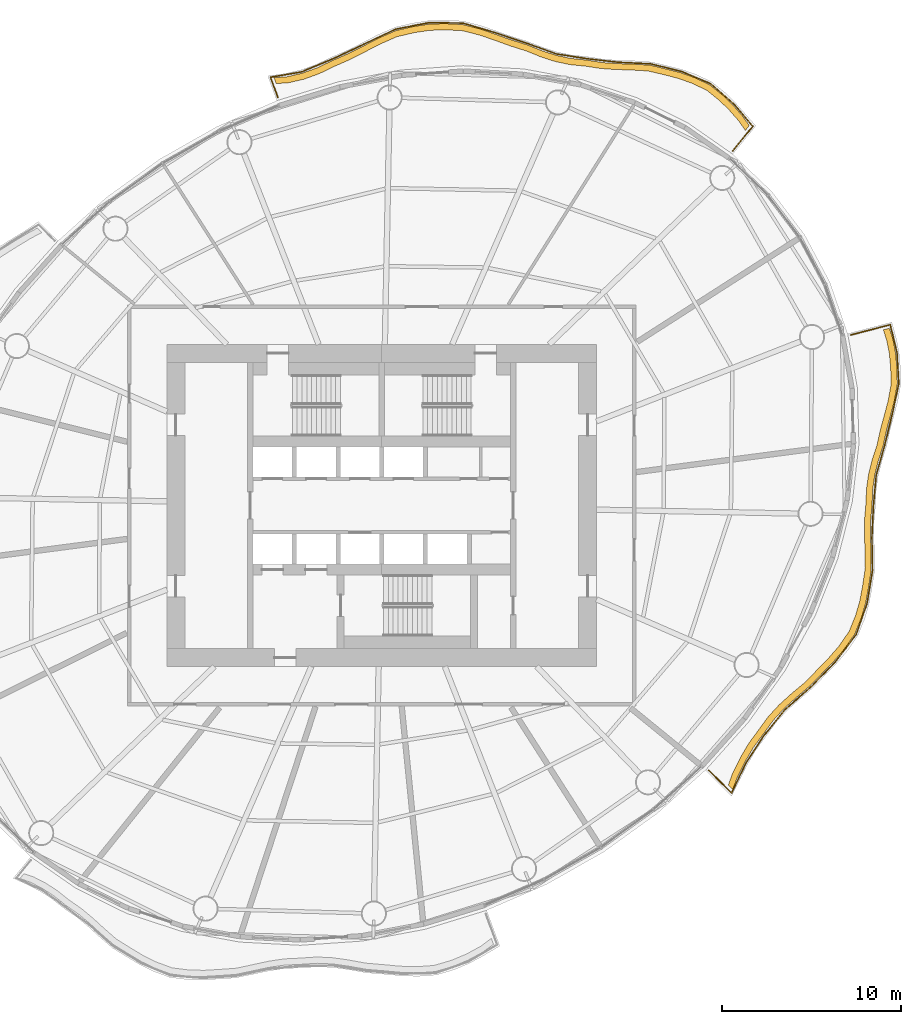
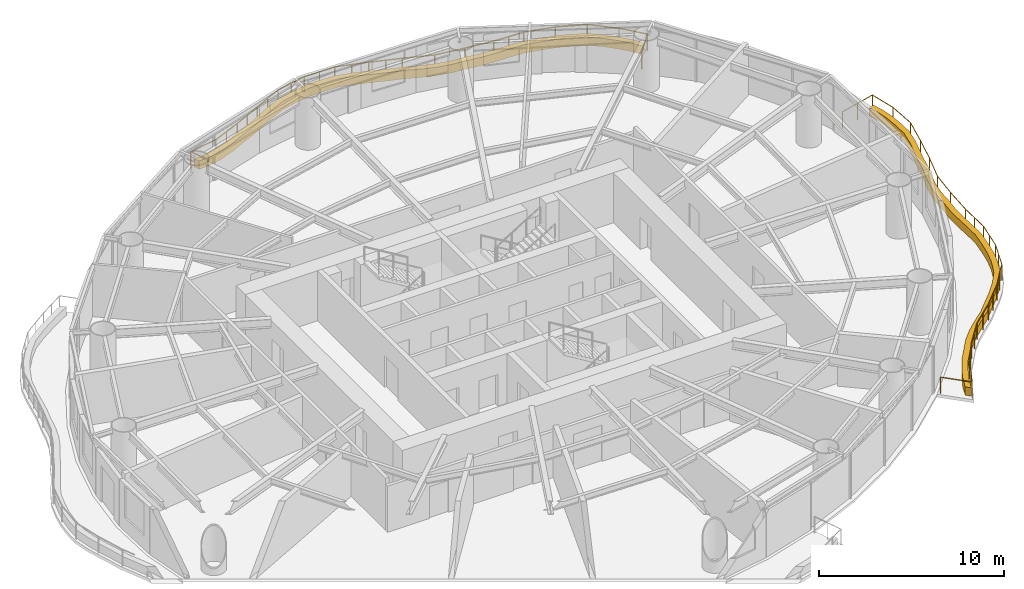
# One storey, part 14 of 14: 2 coverings, 2 railings.
"""IFC4 building model written with IfcOpenShell, lengths in metres."""

from ifc_helpers import new_model, si_unit, direction, frame, origin, origin_2d, place, context, subcontext, project, spatial, polyline, circle, outline, extrude, material, type_object, element, save


model = new_model("IFC4")

# Units and contexts
model_context = context("Model", 3, precision=1e-05, world=origin(), true_north=direction((0.0, 1.0)))
body_context = subcontext(model_context, "Body", "Model", "MODEL_VIEW")
ifc_project = project(units=[si_unit("LENGTHUNIT", "METRE"), si_unit("AREAUNIT", "SQUARE_METRE"), si_unit("VOLUMEUNIT", "CUBIC_METRE"), si_unit("PLANEANGLEUNIT", "RADIAN"), si_unit("MASSUNIT", "GRAM", prefix="KILO")], contexts=[model_context])

# Site, building, storey
site_placement = place(None, origin())
site = spatial("IfcSite", under=ifc_project, at=site_placement, CompositionType="ELEMENT")
building_placement = place(site_placement, origin())
building = spatial("IfcBuilding", under=site, at=building_placement, Name="Vermilion Reach Broadcast Tower", CompositionType="ELEMENT")
storey_placement = place(building_placement, frame((0.0, 0.0, 165.0)))
storey = spatial("IfcBuildingStorey", under=building, at=storey_placement, Name="L39", CompositionType="ELEMENT", Elevation=165.0)

# Coverings
ifc_material_1 = material(Name="Planting soil and greenery")
covering_type = type_object("IfcCoveringType", Name="Balcony PLANTER", PredefinedType="USERDEFINED", material=ifc_material_1)
placement = place(storey_placement, origin())
element("IfcCovering", 1, at=placement, inside=storey, type_object=covering_type, Name="PLANTER L39 group 1", ObjectType="PLANTER", PredefinedType="USERDEFINED", context=body_context, shape_type="SweptSolid", body=[
    extrude(outline(polyline([(14.5341796875, 21.227783203125), (14.1591796875, 21.76171875), (13.635009765625, 22.357666015625), (13.078857421875, 22.907470703125), (12.332275390625, 23.50390625), (11.455322265625, 23.918212890625), (10.707275390625, 24.1806640625), (9.928955078125, 24.38232421875), (9.004150390625, 24.6025390625), (8.029052734375, 24.665771484375), (7.188232421875, 24.6904296875), (6.35791015625, 24.747314453125), (5.473876953125, 24.884521484375), (4.572021484375, 24.979248046875), (3.76123046875, 25.14892578125), (2.96630859375, 25.40478515625), (2.0986328125, 25.748779296875), (1.175537109375, 26.03564453125), (0.341064453125, 26.33837890625), (-0.494384765625, 26.626708984375), (-1.472412109375, 26.875244140625), (-2.48876953125, 26.92822265625), (-3.3583984375, 26.89599609375), (-4.221435546875, 26.764892578125), (-5.20751953125, 26.536376953125), (-6.164306640625, 26.120361328125), (-6.987548828125, 25.694580078125), (-7.8115234375, 25.273681640625), (-8.71240234375, 24.883056640625), (-9.598876953125, 24.4599609375), (-10.4482421875, 24.153564453125), (-11.3291015625, 23.94921875), (-12.018798828125, 23.90576171875), (-11.897705078125, 23.577392578125), (-11.22607421875, 23.61474609375), (-10.345458984375, 23.81884765625), (-9.49609375, 24.125244140625), (-8.628662109375, 24.543212890625), (-7.7470703125, 24.9296875), (-6.9228515625, 25.3505859375), (-6.099853515625, 25.7763671875), (-5.1630859375, 26.189208984375), (-4.197265625, 26.415771484375), (-3.33447265625, 26.546875), (-2.46484375, 26.5791015625), (-1.4697265625, 26.525146484375), (-0.512939453125, 26.277099609375), (0.322265625, 25.989013671875), (1.15673828125, 25.68603515625), (2.0576171875, 25.401123046875), (2.903076171875, 25.060546875), (3.697998046875, 24.8046875), (4.5087890625, 24.635009765625), (5.387451171875, 24.54541015625), (6.248779296875, 24.414794921875), (7.0791015625, 24.35791015625), (7.919921875, 24.333251953125), (8.87158203125, 24.278564453125), (9.773681640625, 24.068603515625), (10.552001953125, 23.866943359375), (11.30029296875, 23.6044921875), (12.154296875, 23.20263671875), (12.878662109375, 22.6201171875), (13.434814453125, 22.0703125), (13.958984375, 21.474609375), (14.312744140625, 20.956787109375), (14.5341796875, 21.227783203125)])), origin(), (0.0, 0.0, 1.0), 0.550048828125),
])
element("IfcCovering", 2, at=placement, inside=storey, type_object=covering_type, Name="PLANTER L39 group 4", ObjectType="PLANTER", PredefinedType="USERDEFINED", context=body_context, shape_type="SweptSolid", body=[
    extrude(outline(polyline([(13.609130859375, -15.87451171875), (13.87451171875, -15.16748046875), (14.291259765625, -14.330322265625), (14.75537109375, -13.535400390625), (15.327880859375, -12.75732421875), (15.885986328125, -11.99169921875), (16.491943359375, -11.33349609375), (17.166259765625, -10.7236328125), (17.94091796875, -10.067626953125), (18.63525390625, -9.346923828125), (19.265869140625, -8.700439453125), (19.84765625, -8.027099609375), (20.42919921875, -7.18408203125), (20.805908203125, -6.259521484375), (21.040771484375, -5.438720703125), (21.198974609375, -4.58740234375), (21.3486328125, -3.596923828125), (21.342041015625, -2.610595703125), (21.3095703125, -1.747802734375), (21.31201171875, -0.893798828125), (21.394775390625, 0.017333984375), (21.4326171875, 0.901123046875), (21.547119140625, 1.699951171875), (21.743896484375, 2.4892578125), (22.021728515625, 3.36669921875), (22.214111328125, 4.256103515625), (22.4306640625, 5.049560546875), (22.6396484375, 5.8427734375), (22.810302734375, 6.80224609375), (22.780029296875, 7.749755859375), (22.710693359375, 8.520263671875), (22.564453125, 9.27685546875), (22.3642578125, 9.904052734375), (22.025634765625, 9.81591796875), (22.219970703125, 9.21533203125), (22.365966796875, 8.45849609375), (22.435546875, 7.68798828125), (22.462158203125, 6.7666015625), (22.289794921875, 5.8330078125), (22.08056640625, 5.039794921875), (21.8642578125, 4.246337890625), (21.672119140625, 3.3818359375), (21.396240234375, 2.529296875), (21.199462890625, 1.739990234375), (21.0849609375, 0.941162109375), (21.050537109375, 0.080810546875), (20.972900390625, -0.807373046875), (20.970458984375, -1.661376953125), (21.0029296875, -2.524169921875), (21.015625, -3.489013671875), (20.873779296875, -4.458251953125), (20.715576171875, -5.3095703125), (20.480712890625, -6.13037109375), (20.1123046875, -7.035400390625), (19.54052734375, -7.859375), (18.958740234375, -8.532470703125), (18.328125, -9.17919921875), (17.64404296875, -9.882080078125), (16.880859375, -10.52099609375), (16.206298828125, -11.130859375), (15.600341796875, -11.789306640625), (15.05419921875, -12.5390625), (14.494384765625, -13.302001953125), (14.0302734375, -14.096923828125), (13.613525390625, -14.934326171875), (13.361572265625, -15.627197265625), (13.609130859375, -15.87451171875)])), origin(), (0.0, 0.0, 1.0), 0.550048828125),
])

# Railings
ifc_material_2 = material(Name="Stainless steel 316 balustrade", Category="steel")
railing_type = type_object("IfcRailingType", Name="Balcony guard 1100", PredefinedType="BALUSTRADE", material=ifc_material_2)
railing_1_placement = place(storey_placement, frame((13.60986328125, 19.814208984375, 0.0)))
element("IfcRailing", 3, at=railing_1_placement, inside=storey, type_object=railing_type, Name="Balcony guard L39 group 1", PredefinedType="BALUSTRADE", context=body_context, shape_type="SweptSolid", body=[
    extrude(circle(Radius=0.02490234375, at=origin_2d()), frame((0.0, 0.0, 1.0751953125), z_axis=(0.633170313151, 0.774012502834, 0.0), x_axis=(-0.774012502834, 0.633170313151, 0.0)), (0.0, 0.0, 1.0), 1.773193359375),
    extrude(circle(Radius=0.02490234375, at=origin_2d()), frame((1.122802734375, 1.37255859375, 1.0751953125), z_axis=(-0.647975741931, 0.761660973051, 0.0), x_axis=(-0.761660973051, -0.647975741931, 0.0)), (0.0, 0.0, 1.0), 1.62353515625),
    extrude(circle(Radius=0.02490234375, at=origin_2d()), frame((0.07080078125, 2.609130859375, 1.0751953125), z_axis=(-0.751080608031, 0.660210512063, 0.0), x_axis=(-0.660210512063, -0.751080608031, 0.0)), (0.0, 0.0, 1.0), 1.740966796875),
    extrude(circle(Radius=0.02490234375, at=origin_2d()), frame((-1.23681640625, 3.758544921875, 1.0751953125), z_axis=(-0.92300330027, 0.384792031739, 0.0), x_axis=(-0.384792031739, -0.92300330027, 0.0)), (0.0, 0.0, 1.0), 1.766357421875),
    extrude(circle(Radius=0.02490234375, at=origin_2d()), frame((-2.8671875, 4.438232421875, 1.0751953125), z_axis=(-0.970540987901, 0.240936072029, 0.0), x_axis=(-0.240936072029, -0.970540987901, 0.0)), (0.0, 0.0, 1.0), 1.760009765625),
    extrude(circle(Radius=0.02490234375, at=origin_2d()), frame((-4.575439453125, 4.8623046875, 1.0751953125), z_axis=(-0.998778906152, 0.04940340702, 0.0), x_axis=(-0.04940340702, -0.998778906152, 0.0)), (0.0, 0.0, 1.0), 1.823486328125),
    extrude(circle(Radius=0.02490234375, at=origin_2d()), frame((-6.396728515625, 4.952392578125, 1.0751953125), z_axis=(-0.993594819163, 0.113001483764, 0.0), x_axis=(-0.113001483764, -0.993594819163, 0.0)), (0.0, 0.0, 1.0), 1.73046875),
    extrude(circle(Radius=0.02490234375, at=origin_2d()), frame((-8.1162109375, 5.14794921875, 1.0751953125), z_axis=(-0.988254493436, 0.152817067774, 0.0), x_axis=(-0.152817067774, -0.988254493436, 0.0)), (0.0, 0.0, 1.0), 1.73828125),
    extrude(circle(Radius=0.02490234375, at=origin_2d()), frame((-9.833984375, 5.41357421875, 1.0751953125), z_axis=(-0.94089443518, 0.338699958441, 0.0), x_axis=(-0.338699958441, -0.94089443518, 0.0)), (0.0, 0.0, 1.0), 1.7724609375),
    extrude(circle(Radius=0.02490234375, at=origin_2d()), frame((-11.501708984375, 6.013916015625, 1.0751953125), z_axis=(-0.948249057059, 0.31752751973, 0.0), x_axis=(-0.31752751973, -0.948249057059, 0.0)), (0.0, 0.0, 1.0), 1.859130859375),
    extrude(circle(Radius=0.02490234375, at=origin_2d()), frame((-13.2646484375, 6.604248046875, 1.0751953125), z_axis=(-0.959106731719, 0.283044655789, 0.0), x_axis=(-0.283044655789, -0.959106731719, 0.0)), (0.0, 0.0, 1.0), 1.89599609375),
    extrude(circle(Radius=0.02490234375, at=origin_2d()), frame((-15.0830078125, 7.140869140625, 1.0751953125), z_axis=(-0.999939782076, 0.010974161585, 0.0), x_axis=(-0.010974161585, -0.999939782076, 0.0)), (0.0, 0.0, 1.0), 1.890869140625),
    extrude(circle(Radius=0.02490234375, at=origin_2d()), frame((-16.973876953125, 7.16162109375, 1.0751953125), z_axis=(-0.981644987058, -0.190717380916, 0.0), x_axis=(0.190717380916, -0.981644987058, 0.0)), (0.0, 0.0, 1.0), 1.88818359375),
    extrude(circle(Radius=0.02490234375, at=origin_2d()), frame((-18.827392578125, 6.801513671875, 1.0751953125), z_axis=(-0.904316295614, -0.426863019582, 0.0), x_axis=(0.426863019582, -0.904316295614, 0.0)), (0.0, 0.0, 1.0), 1.973876953125),
    extrude(circle(Radius=0.02490234375, at=origin_2d()), frame((-20.6123046875, 5.958984375, 1.0751953125), z_axis=(-0.905073378333, -0.425255428927, 0.0), x_axis=(0.425255428927, -0.905073378333, 0.0)), (0.0, 0.0, 1.0), 1.91064453125),
    extrude(circle(Radius=0.02490234375, at=origin_2d()), frame((-22.341552734375, 5.146484375, 1.0751953125), z_axis=(-0.922017199564, -0.387148916708, 0.0), x_axis=(0.387148916708, -0.922017199564, 0.0)), (0.0, 0.0, 1.0), 1.887451171875),
    extrude(circle(Radius=0.02490234375, at=origin_2d()), frame((-24.081787109375, 4.415771484375, 1.0751953125), z_axis=(-0.985378090024, -0.170381981739, 0.0), x_axis=(0.170381981739, -0.985378090024, 0.0)), (0.0, 0.0, 1.0), 1.7724609375),
    extrude(circle(Radius=0.02490234375, at=origin_2d()), frame((-25.828369140625, 4.11376953125, 1.0751953125), z_axis=(0.345977091529, -0.938242960079, 0.0), x_axis=(0.938242960079, 0.345977091529, 0.0)), (0.0, 0.0, 1.0), 1.207275390625),
    extrude(circle(Radius=0.02490234375, at=origin_2d()), origin(), (0.0, 0.0, 1.0), 1.050048828125),
    extrude(circle(Radius=0.02490234375, at=origin_2d()), frame((1.122802734375, 1.37255859375, 0.0)), (0.0, 0.0, 1.0), 1.050048828125),
    extrude(circle(Radius=0.02490234375, at=origin_2d()), frame((0.07080078125, 2.609130859375, 0.0)), (0.0, 0.0, 1.0), 1.050048828125),
    extrude(circle(Radius=0.02490234375, at=origin_2d()), frame((-1.23681640625, 3.758544921875, 0.0)), (0.0, 0.0, 1.0), 1.050048828125),
    extrude(circle(Radius=0.02490234375, at=origin_2d()), frame((-2.8671875, 4.438232421875, 0.0)), (0.0, 0.0, 1.0), 1.050048828125),
    extrude(circle(Radius=0.02490234375, at=origin_2d()), frame((-4.575439453125, 4.8623046875, 0.0)), (0.0, 0.0, 1.0), 1.050048828125),
    extrude(circle(Radius=0.02490234375, at=origin_2d()), frame((-5.486083984375, 4.9072265625, 0.0)), (0.0, 0.0, 1.0), 1.050048828125),
    extrude(circle(Radius=0.02490234375, at=origin_2d()), frame((-6.396728515625, 4.952392578125, 0.0)), (0.0, 0.0, 1.0), 1.050048828125),
    extrude(circle(Radius=0.02490234375, at=origin_2d()), frame((-8.1162109375, 5.14794921875, 0.0)), (0.0, 0.0, 1.0), 1.050048828125),
    extrude(circle(Radius=0.02490234375, at=origin_2d()), frame((-9.833984375, 5.41357421875, 0.0)), (0.0, 0.0, 1.0), 1.050048828125),
    extrude(circle(Radius=0.02490234375, at=origin_2d()), frame((-11.501708984375, 6.013916015625, 0.0)), (0.0, 0.0, 1.0), 1.050048828125),
    extrude(circle(Radius=0.02490234375, at=origin_2d()), frame((-12.38330078125, 6.30908203125, 0.0)), (0.0, 0.0, 1.0), 1.050048828125),
    extrude(circle(Radius=0.02490234375, at=origin_2d()), frame((-13.2646484375, 6.604248046875, 0.0)), (0.0, 0.0, 1.0), 1.050048828125),
    extrude(circle(Radius=0.02490234375, at=origin_2d()), frame((-14.173828125, 6.87255859375, 0.0)), (0.0, 0.0, 1.0), 1.050048828125),
    extrude(circle(Radius=0.02490234375, at=origin_2d()), frame((-15.0830078125, 7.140869140625, 0.0)), (0.0, 0.0, 1.0), 1.050048828125),
    extrude(circle(Radius=0.02490234375, at=origin_2d()), frame((-16.0283203125, 7.1513671875, 0.0)), (0.0, 0.0, 1.0), 1.050048828125),
    extrude(circle(Radius=0.02490234375, at=origin_2d()), frame((-16.973876953125, 7.16162109375, 0.0)), (0.0, 0.0, 1.0), 1.050048828125),
    extrude(circle(Radius=0.02490234375, at=origin_2d()), frame((-17.900634765625, 6.9814453125, 0.0)), (0.0, 0.0, 1.0), 1.050048828125),
    extrude(circle(Radius=0.02490234375, at=origin_2d()), frame((-18.827392578125, 6.801513671875, 0.0)), (0.0, 0.0, 1.0), 1.050048828125),
    extrude(circle(Radius=0.02490234375, at=origin_2d()), frame((-19.7197265625, 6.38037109375, 0.0)), (0.0, 0.0, 1.0), 1.050048828125),
    extrude(circle(Radius=0.02490234375, at=origin_2d()), frame((-20.6123046875, 5.958984375, 0.0)), (0.0, 0.0, 1.0), 1.050048828125),
    extrude(circle(Radius=0.02490234375, at=origin_2d()), frame((-21.47705078125, 5.552734375, 0.0)), (0.0, 0.0, 1.0), 1.050048828125),
    extrude(circle(Radius=0.02490234375, at=origin_2d()), frame((-22.341552734375, 5.146484375, 0.0)), (0.0, 0.0, 1.0), 1.050048828125),
    extrude(circle(Radius=0.02490234375, at=origin_2d()), frame((-23.211669921875, 4.78125, 0.0)), (0.0, 0.0, 1.0), 1.050048828125),
    extrude(circle(Radius=0.02490234375, at=origin_2d()), frame((-24.081787109375, 4.415771484375, 0.0)), (0.0, 0.0, 1.0), 1.050048828125),
    extrude(circle(Radius=0.02490234375, at=origin_2d()), frame((-25.828369140625, 4.11376953125, 0.0)), (0.0, 0.0, 1.0), 1.050048828125),
    extrude(circle(Radius=0.02490234375, at=origin_2d()), frame((-25.41064453125, 2.98095703125, 0.0)), (0.0, 0.0, 1.0), 1.050048828125),
])
railing_2_placement = place(storey_placement, frame((12.280517578125, -14.8017578125, 0.0)))
element("IfcRailing", 4, at=railing_2_placement, inside=storey, type_object=railing_type, Name="Balcony guard L39 group 4", PredefinedType="BALUSTRADE", context=body_context, shape_type="SweptSolid", body=[
    extrude(circle(Radius=0.02490234375, at=origin_2d()), frame((0.0, 0.0, 1.0751953125), z_axis=(0.707652703954, -0.706560436613, 0.0), x_axis=(0.706560436613, 0.707652703954, 0.0)), (0.0, 0.0, 1.0), 1.7880859375),
    extrude(circle(Radius=0.02490234375, at=origin_2d()), frame((1.265380859375, -1.263427734375, 1.0751953125), z_axis=(0.431747396031, 0.901994559862, 0.0), x_axis=(-0.901994559862, 0.431747396031, 0.0)), (0.0, 0.0, 1.0), 1.8642578125),
    extrude(circle(Radius=0.02490234375, at=origin_2d()), frame((2.0703125, 0.418212890625, 1.0751953125), z_axis=(0.550575574456, 0.834785323788, 0.0), x_axis=(-0.834785323788, 0.550575574456, 0.0)), (0.0, 0.0, 1.0), 1.88818359375),
    extrude(circle(Radius=0.02490234375, at=origin_2d()), frame((3.10986328125, 1.994384765625, 1.0751953125), z_axis=(0.632783425964, 0.774328829261, 0.0), x_axis=(-0.774328829261, 0.632783425964, 0.0)), (0.0, 0.0, 1.0), 1.84375),
    extrude(circle(Radius=0.02490234375, at=origin_2d()), frame((4.276611328125, 3.422119140625, 1.0751953125), z_axis=(0.752749200089, 0.658307406738, 0.0), x_axis=(-0.658307406738, 0.752749200089, 0.0)), (0.0, 0.0, 1.0), 1.928466796875),
    extrude(circle(Radius=0.02490234375, at=origin_2d()), frame((5.728271484375, 4.691650390625, 1.0751953125), z_axis=(0.695434213656, 0.718589767863, 0.0), x_axis=(-0.718589767863, 0.695434213656, 0.0)), (0.0, 0.0, 1.0), 1.908447265625),
    extrude(circle(Radius=0.02490234375, at=origin_2d()), frame((7.055419921875, 6.06298828125, 1.0751953125), z_axis=(0.608447594089, 0.793594055703, 0.0), x_axis=(-0.793594055703, 0.608447594089, 0.0)), (0.0, 0.0, 1.0), 1.916015625),
    extrude(circle(Radius=0.02490234375, at=origin_2d()), frame((8.22119140625, 7.58349609375, 1.0751953125), z_axis=(0.33084297743, 0.943685818631, 0.0), x_axis=(-0.943685818631, 0.33084297743, 0.0)), (0.0, 0.0, 1.0), 1.8544921875),
    extrude(circle(Radius=0.02490234375, at=origin_2d()), frame((8.834716796875, 9.33349609375, 1.0751953125), z_axis=(0.165202408718, 0.986259683934, 0.0), x_axis=(-0.986259683934, 0.165202408718, 0.0)), (0.0, 0.0, 1.0), 1.872314453125),
    extrude(circle(Radius=0.02490234375, at=origin_2d()), frame((9.14404296875, 11.18017578125, 1.0751953125), z_axis=(-0.0202749992, 0.999794441076, 0.0), x_axis=(-0.999794441076, -0.0202749992, 0.0)), (0.0, 0.0, 1.0), 1.8544921875),
    extrude(circle(Radius=0.02490234375, at=origin_2d()), frame((9.1064453125, 13.0341796875, 1.0751953125), z_axis=(0.048893466593, 0.998803999253, 0.0), x_axis=(-0.998803999253, 0.048893466593, 0.0)), (0.0, 0.0, 1.0), 1.772705078125),
    extrude(circle(Radius=0.02490234375, at=origin_2d()), frame((9.193115234375, 14.8046875, 1.0751953125), z_axis=(0.090314956607, 0.995913253558, 0.0), x_axis=(-0.995913253558, 0.090314956607, 0.0)), (0.0, 0.0, 1.0), 1.69482421875),
    extrude(circle(Radius=0.02490234375, at=origin_2d()), frame((9.34619140625, 16.49267578125, 1.0751953125), z_axis=(0.273144187895, 0.961973103896, 0.0), x_axis=(-0.961973103896, 0.273144187895, 0.0)), (0.0, 0.0, 1.0), 1.738525390625),
    extrude(circle(Radius=0.02490234375, at=origin_2d()), frame((9.821044921875, 18.1650390625, 1.0751953125), z_axis=(0.23538684907, 0.9719017601, 0.0), x_axis=(-0.9719017601, 0.23538684907, 0.0)), (0.0, 0.0, 1.0), 1.7373046875),
    extrude(circle(Radius=0.02490234375, at=origin_2d()), frame((10.22998046875, 19.853515625, 1.0751953125), z_axis=(0.210863295488, 0.977515560293, 0.0), x_axis=(-0.977515560293, 0.210863295488, 0.0)), (0.0, 0.0, 1.0), 1.79931640625),
    extrude(circle(Radius=0.02490234375, at=origin_2d()), frame((10.609375, 21.6123046875, 1.0751953125), z_axis=(-0.058257825364, 0.998301570561, 0.0), x_axis=(-0.998301570561, -0.058257825364, 0.0)), (0.0, 0.0, 1.0), 1.7265625),
    extrude(circle(Radius=0.02490234375, at=origin_2d()), frame((10.5087890625, 23.3359375, 1.0751953125), z_axis=(-0.235153623495, 0.971958215849, 0.0), x_axis=(-0.971958215849, -0.235153623495, 0.0)), (0.0, 0.0, 1.0), 1.6123046875),
    extrude(circle(Radius=0.02490234375, at=origin_2d()), frame((10.129638671875, 24.903076171875, 1.0751953125), z_axis=(-0.967869855866, -0.251451669521, 0.0), x_axis=(0.251451669521, -0.967869855866, 0.0)), (0.0, 0.0, 1.0), 2.28466796875),
    extrude(circle(Radius=0.02490234375, at=origin_2d()), origin(), (0.0, 0.0, 1.0), 1.050048828125),
    extrude(circle(Radius=0.02490234375, at=origin_2d()), frame((1.265380859375, -1.263427734375, 0.0)), (0.0, 0.0, 1.0), 1.050048828125),
    extrude(circle(Radius=0.02490234375, at=origin_2d()), frame((1.66796875, -0.422607421875, 0.0)), (0.0, 0.0, 1.0), 1.050048828125),
    extrude(circle(Radius=0.02490234375, at=origin_2d()), frame((2.0703125, 0.418212890625, 0.0)), (0.0, 0.0, 1.0), 1.050048828125),
    extrude(circle(Radius=0.02490234375, at=origin_2d()), frame((2.590087890625, 1.206298828125, 0.0)), (0.0, 0.0, 1.0), 1.050048828125),
    extrude(circle(Radius=0.02490234375, at=origin_2d()), frame((3.10986328125, 1.994384765625, 0.0)), (0.0, 0.0, 1.0), 1.050048828125),
    extrude(circle(Radius=0.02490234375, at=origin_2d()), frame((3.693359375, 2.708251953125, 0.0)), (0.0, 0.0, 1.0), 1.050048828125),
    extrude(circle(Radius=0.02490234375, at=origin_2d()), frame((4.276611328125, 3.422119140625, 0.0)), (0.0, 0.0, 1.0), 1.050048828125),
    extrude(circle(Radius=0.02490234375, at=origin_2d()), frame((5.00244140625, 4.056884765625, 0.0)), (0.0, 0.0, 1.0), 1.050048828125),
    extrude(circle(Radius=0.02490234375, at=origin_2d()), frame((5.728271484375, 4.691650390625, 0.0)), (0.0, 0.0, 1.0), 1.050048828125),
    extrude(circle(Radius=0.02490234375, at=origin_2d()), frame((6.391845703125, 5.37744140625, 0.0)), (0.0, 0.0, 1.0), 1.050048828125),
    extrude(circle(Radius=0.02490234375, at=origin_2d()), frame((7.055419921875, 6.06298828125, 0.0)), (0.0, 0.0, 1.0), 1.050048828125),
    extrude(circle(Radius=0.02490234375, at=origin_2d()), frame((7.63818359375, 6.8232421875, 0.0)), (0.0, 0.0, 1.0), 1.050048828125),
    extrude(circle(Radius=0.02490234375, at=origin_2d()), frame((8.22119140625, 7.58349609375, 0.0)), (0.0, 0.0, 1.0), 1.050048828125),
    extrude(circle(Radius=0.02490234375, at=origin_2d()), frame((8.52783203125, 8.45849609375, 0.0)), (0.0, 0.0, 1.0), 1.050048828125),
    extrude(circle(Radius=0.02490234375, at=origin_2d()), frame((8.834716796875, 9.33349609375, 0.0)), (0.0, 0.0, 1.0), 1.050048828125),
    extrude(circle(Radius=0.02490234375, at=origin_2d()), frame((8.9892578125, 10.2568359375, 0.0)), (0.0, 0.0, 1.0), 1.050048828125),
    extrude(circle(Radius=0.02490234375, at=origin_2d()), frame((9.14404296875, 11.18017578125, 0.0)), (0.0, 0.0, 1.0), 1.050048828125),
    extrude(circle(Radius=0.02490234375, at=origin_2d()), frame((9.125244140625, 12.107177734375, 0.0)), (0.0, 0.0, 1.0), 1.050048828125),
    extrude(circle(Radius=0.02490234375, at=origin_2d()), frame((9.1064453125, 13.0341796875, 0.0)), (0.0, 0.0, 1.0), 1.050048828125),
    extrude(circle(Radius=0.02490234375, at=origin_2d()), frame((9.193115234375, 14.8046875, 0.0)), (0.0, 0.0, 1.0), 1.050048828125),
    extrude(circle(Radius=0.02490234375, at=origin_2d()), frame((9.34619140625, 16.49267578125, 0.0)), (0.0, 0.0, 1.0), 1.050048828125),
    extrude(circle(Radius=0.02490234375, at=origin_2d()), frame((9.821044921875, 18.1650390625, 0.0)), (0.0, 0.0, 1.0), 1.050048828125),
    extrude(circle(Radius=0.02490234375, at=origin_2d()), frame((10.22998046875, 19.853515625, 0.0)), (0.0, 0.0, 1.0), 1.050048828125),
    extrude(circle(Radius=0.02490234375, at=origin_2d()), frame((10.609375, 21.6123046875, 0.0)), (0.0, 0.0, 1.0), 1.050048828125),
    extrude(circle(Radius=0.02490234375, at=origin_2d()), frame((10.5087890625, 23.3359375, 0.0)), (0.0, 0.0, 1.0), 1.050048828125),
    extrude(circle(Radius=0.02490234375, at=origin_2d()), frame((10.129638671875, 24.903076171875, 0.0)), (0.0, 0.0, 1.0), 1.050048828125),
    extrude(circle(Radius=0.02490234375, at=origin_2d()), frame((9.02392578125, 24.61572265625, 0.0)), (0.0, 0.0, 1.0), 1.050048828125),
    extrude(circle(Radius=0.02490234375, at=origin_2d()), frame((7.91845703125, 24.32861328125, 0.0)), (0.0, 0.0, 1.0), 1.050048828125),
])

save(model, "model.ifc")
